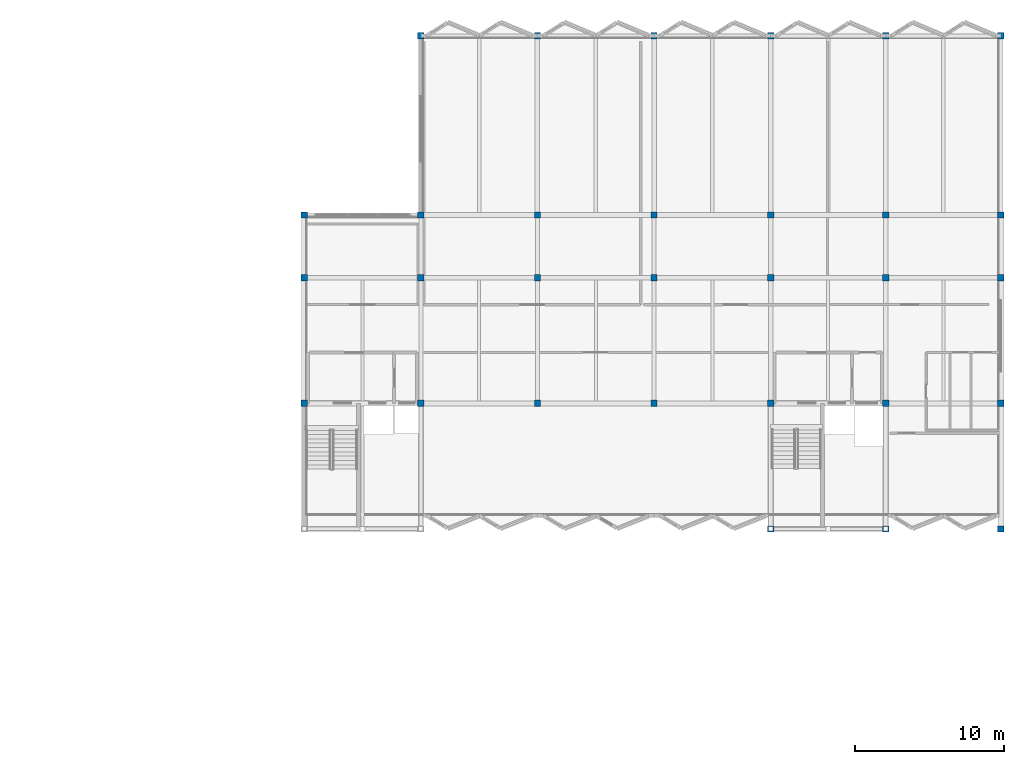
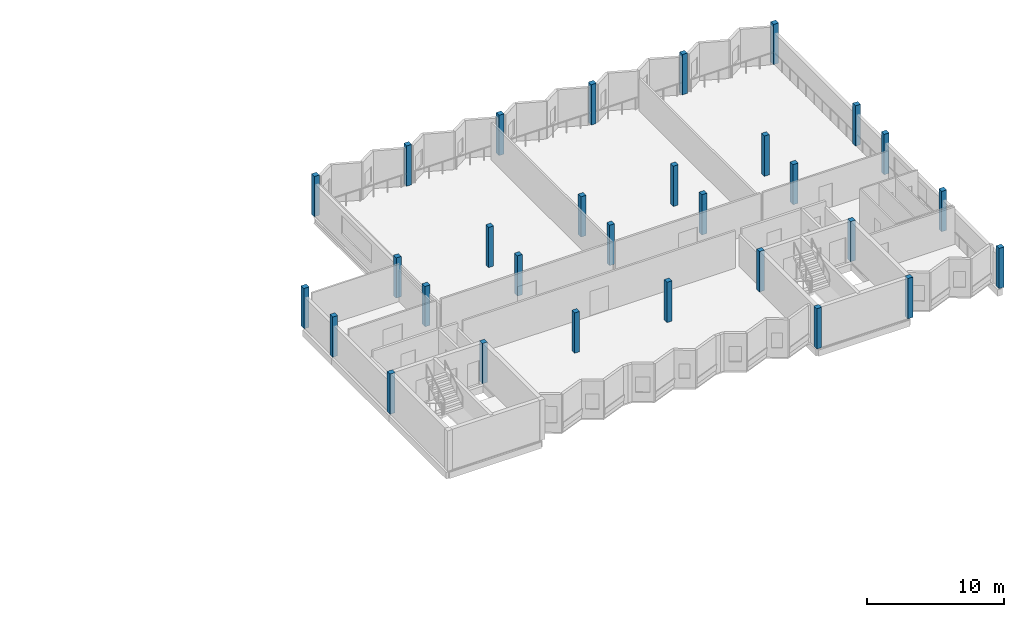
# One storey, part 2 of 22: 30 columns.
"""IFC4 building model written with IfcOpenShell, lengths in metres."""

from ifc_helpers import new_model, si_unit, direction, frame, origin, origin_2d, place, context, subcontext, project, spatial, rectangle, extrude, material, material_profile, profile_set, type_object, element, save


model = new_model("IFC4")

# Units and contexts
model_context = context("Model", 3, precision=1e-05, world=origin(), true_north=direction((0.0, 1.0)))
body_context = subcontext(model_context, "Body", "Model", "MODEL_VIEW")
ifc_project = project(units=[si_unit("LENGTHUNIT", "METRE"), si_unit("AREAUNIT", "SQUARE_METRE"), si_unit("VOLUMEUNIT", "CUBIC_METRE"), si_unit("PLANEANGLEUNIT", "RADIAN"), si_unit("MASSUNIT", "GRAM", prefix="KILO")], contexts=[model_context])

# Site, building, storey
site_placement = place(None, origin())
site = spatial("IfcSite", under=ifc_project, at=site_placement, CompositionType="ELEMENT")
building_placement = place(site_placement, origin())
building = spatial("IfcBuilding", under=site, at=building_placement, Name="Vharandega Faculty of Natural Sciences", CompositionType="ELEMENT")
storey_placement = place(building_placement, frame((0.0, 0.0, 28.800048828125)))
storey = spatial("IfcBuildingStorey", under=building, at=storey_placement, Name="L07", CompositionType="ELEMENT", Elevation=28.800048828125)

# Columns
ifc_material = material(Name="Glulam GL32h", Category="wood")
ifc_material_profile = material_profile(ifc_material, rectangle(XDim=0.419921875, YDim=0.419921875, at=origin_2d()), Name="GL32h 420x420")
ifc_profile_set = profile_set([ifc_material_profile], Name="Glulam GL32h")
column_type = type_object("IfcColumnType", Name="Glulam Column 420x420", PredefinedType="COLUMN", material=ifc_profile_set)
for number, where, z_axis, x_axis, name in (
    (1, (114.800048828125, 72.39990234375, 0.0), (0.0, 0.0, 1.0), (1.0, 0.0, 0.0), "Column 15/K L07"),
    (2, (114.800048828125, 80.800048828125, 0.0), (0.0, 0.0, 1.0), (1.0, 0.0, 0.0), "Column 15/L L07"),
    (3, (114.800048828125, 85.0, 0.0), (0.0, 0.0, 1.0), (1.0, 0.0, 0.0), "Column 15/M L07"),
    (4, (122.60009765625, 72.39990234375, 0.0), (0.0, 0.0, 1.0), (1.0, 0.0, 0.0), "Column 16/K L07"),
    (5, (122.60009765625, 80.800048828125, 0.0), (0.0, 0.0, 1.0), (1.0, 0.0, 0.0), "Column 16/L L07"),
    (6, (122.60009765625, 85.0, 0.0), (0.0, 0.0, 1.0), (1.0, 0.0, 0.0), "Column 16/M L07"),
    (7, (122.60009765625, 97.0, 0.0), (0.0, 0.0, 1.0), (1.0, 0.0, 0.0), "Column 16/N L07"),
    (8, (130.39990234375, 72.39990234375, 0.0), (0.0, 0.0, 1.0), (1.0, 0.0, 0.0), "Column 17/K L07"),
    (9, (130.39990234375, 80.800048828125, 0.0), (0.0, 0.0, 1.0), (1.0, 0.0, 0.0), "Column 17/L L07"),
    (10, (130.39990234375, 85.0, 0.0), (0.0, 0.0, 1.0), (1.0, 0.0, 0.0), "Column 17/M L07"),
    (11, (130.39990234375, 97.0, 0.0), (0.0, 0.0, 1.0), (1.0, 0.0, 0.0), "Column 17/N L07"),
    (12, (138.199951171875, 72.39990234375, 0.0), (0.0, 0.0, 1.0), (1.0, 0.0, 0.0), "Column 18/K L07"),
    (13, (138.199951171875, 80.800048828125, 0.0), (0.0, 0.0, 1.0), (1.0, 0.0, 0.0), "Column 18/L L07"),
    (14, (138.199951171875, 85.0, 0.0), (0.0, 0.0, 1.0), (1.0, 0.0, 0.0), "Column 18/M L07"),
    (15, (138.199951171875, 97.0, 0.0), (0.0, 0.0, 1.0), (1.0, 0.0, 0.0), "Column 18/N L07"),
    (16, (146.0, 64.0, 0.0), (0.0, 0.0, 1.0), (1.0, 0.0, 0.0), "Column 19/J L07"),
    (17, (146.0, 72.39990234375, 0.0), (0.0, 0.0, 1.0), (1.0, 0.0, 0.0), "Column 19/K L07"),
    (18, (146.0, 80.800048828125, 0.0), (0.0, 0.0, 1.0), (1.0, 0.0, 0.0), "Column 19/L L07"),
    (19, (146.0, 85.0, 0.0), (0.0, 0.0, 1.0), (1.0, 0.0, 0.0), "Column 19/M L07"),
    (20, (146.0, 97.0, 0.0), (0.0, 0.0, 1.0), (1.0, 0.0, 0.0), "Column 19/N L07"),
    (21, (153.699951171875, 64.0, 0.0), (0.0, 0.0, 1.0), (1.0, 0.0, 0.0), "Column 20/J L07"),
    (22, (153.699951171875, 72.39990234375, 0.0), (0.0, 0.0, 1.0), (1.0, 0.0, 0.0), "Column 20/K L07"),
    (23, (153.699951171875, 80.800048828125, 0.0), (0.0, 0.0, 1.0), (1.0, 0.0, 0.0), "Column 20/L L07"),
    (24, (153.699951171875, 85.0, 0.0), (0.0, 0.0, 1.0), (1.0, 0.0, 0.0), "Column 20/M L07"),
    (25, (153.699951171875, 97.0, 0.0), (0.0, 0.0, 1.0), (1.0, 0.0, 0.0), "Column 20/N L07"),
    (26, (161.39990234375, 64.0, 0.0), (0.0, 0.0, 1.0), (1.0, 0.0, 0.0), "Column 21/J L07"),
    (27, (161.39990234375, 72.39990234375, 0.0), (0.0, 0.0, 1.0), (1.0, 0.0, 0.0), "Column 21/K L07"),
    (28, (161.39990234375, 80.800048828125, 0.0), (0.0, 0.0, 1.0), (1.0, 0.0, 0.0), "Column 21/L L07"),
    (29, (161.39990234375, 85.0, 0.0), (0.0, 0.0, 1.0), (1.0, 0.0, 0.0), "Column 21/M L07"),
    (30, (161.39990234375, 97.0, 0.0), (0.0, 0.0, 1.0), (1.0, 0.0, 0.0), "Column 21/N L07"),
):
    element("IfcColumn", number, at=place(storey_placement, frame(where, z_axis=z_axis, x_axis=x_axis)), inside=storey, type_object=column_type, Name=name, PredefinedType="COLUMN", context=body_context, shape_type="SweptSolid", body=[
        extrude(rectangle(XDim=0.419921875, YDim=0.419921875, at=origin_2d()), origin(), (0.0, 0.0, 1.0), 3.599853515625),
    ])

save(model, "model.ifc")
